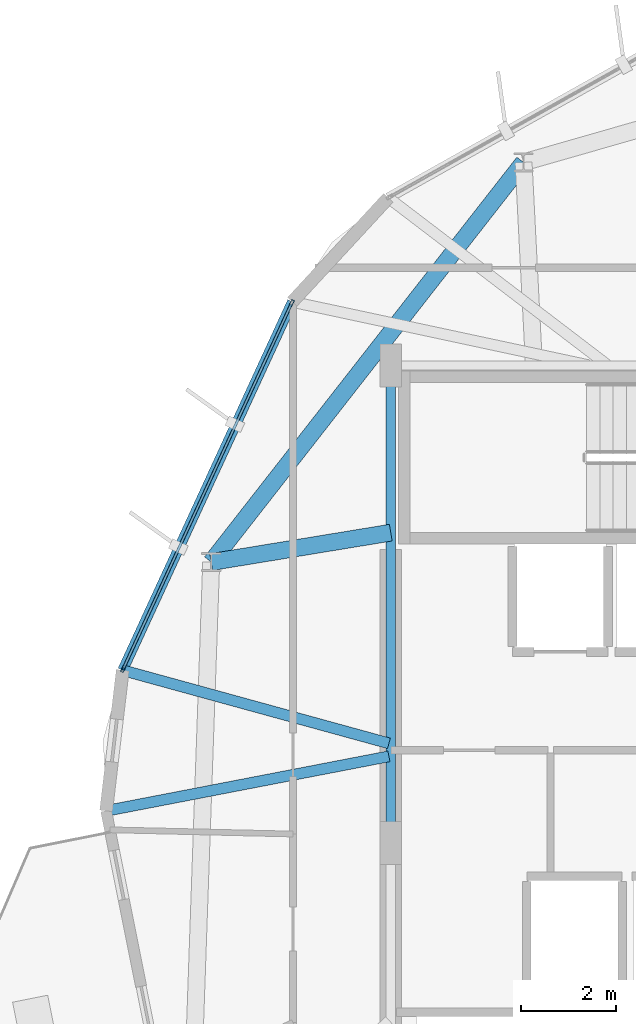
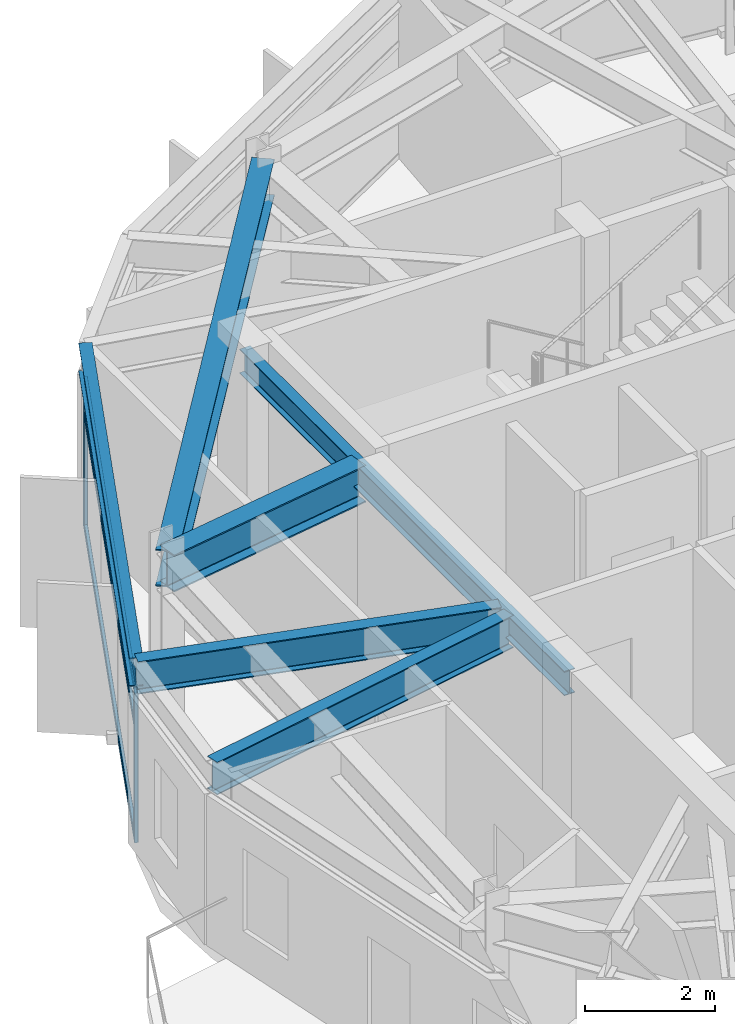
# One storey, part 7 of 25: 6 beams, 5 members, 1 element without a shape of its own.
"""IFC4 building model written with IfcOpenShell, lengths in metres."""

from ifc_helpers import new_model, si_unit, direction, frame, origin, origin_2d, place, context, subcontext, project, spatial, hollow_rectangle, i_section, extrude, material, layer, layer_set, material_profile, profile_set, type_object, element, aggregate, save


model = new_model("IFC4")

# Units and contexts
model_context = context("Model", 3, precision=1e-05, world=origin(), true_north=direction((0.0, 1.0)))
body_context = subcontext(model_context, "Body", "Model", "MODEL_VIEW")
ifc_project = project(units=[si_unit("LENGTHUNIT", "METRE"), si_unit("AREAUNIT", "SQUARE_METRE"), si_unit("VOLUMEUNIT", "CUBIC_METRE"), si_unit("PLANEANGLEUNIT", "RADIAN"), si_unit("MASSUNIT", "GRAM", prefix="KILO")], contexts=[model_context])

# Site, building, storey
site_placement = place(None, origin())
site = spatial("IfcSite", under=ifc_project, at=site_placement, CompositionType="ELEMENT")
building_placement = place(site_placement, origin())
building = spatial("IfcBuilding", under=site, at=building_placement, Name="Soratama Intermodal Tower", CompositionType="ELEMENT")
storey_placement = place(building_placement, frame((0.0, 0.0, 272.5)))
storey = spatial("IfcBuildingStorey", under=building, at=storey_placement, Name="L69", CompositionType="ELEMENT", Elevation=272.5)

# Beams
ifc_material_1 = material(Name="Structural steel ASTM A992 Grade 50", Category="steel")
ifc_material_profile_1 = material_profile(ifc_material_1, i_section(OverallWidth=0.19091796875, OverallDepth=0.4599609375, WebThickness=0.010009765625, FlangeThickness=0.01611328125, FilletRadius=0.010986328125, at=origin_2d()), Name="W18X55")
ifc_profile_set_1 = profile_set([ifc_material_profile_1], Name="Structural steel ASTM A992 Grade 50")
beam_type_1 = type_object("IfcBeamType", Name="BM-FLR-W18X55", PredefinedType="BEAM", material=ifc_profile_set_1)
beam_1_placement = place(storey_placement, frame((32.60009765625, 35.0, 3.219970703125), z_axis=(0.0, -1.0, 0.0), x_axis=(1.0, 0.0, 0.0)))
element("IfcBeam", 1, at=beam_1_placement, inside=storey, type_object=beam_type_1, Name="BM-L69-CRING-08", PredefinedType="BEAM", context=body_context, shape_type="SweptSolid", body=[
    extrude(i_section(OverallWidth=0.19091796875, OverallDepth=0.4599609375, WebThickness=0.010009765625, FlangeThickness=0.01611328125, FilletRadius=0.010986328125, at=origin_2d()), origin(), (0.0, 0.0, 1.0), 10.0),
])
ifc_material_2 = material(Name="Structural steel ASTM A992 Grade 50", Category="steel")
ifc_material_profile_2 = material_profile(ifc_material_2, i_section(OverallWidth=0.35498046875, OverallDepth=0.695068359375, WebThickness=0.015380859375, FlangeThickness=0.02490234375, FilletRadius=0.01611328125, at=origin_2d()), Name="W27X146")
ifc_profile_set_2 = profile_set([ifc_material_profile_2], Name="Structural steel ASTM A992 Grade 50")
beam_type_2 = type_object("IfcBeamType", Name="BM-RING-W27X146", PredefinedType="BEAM", material=ifc_profile_set_2)
beam_2_placement = place(storey_placement, frame((35.382080078125, 39.259033203125, 3.1025390625), z_axis=(-0.6157278291, -0.787958907858, 0.0), x_axis=(0.787958907858, -0.6157278291, 0.0)))
element("IfcBeam", 2, at=beam_2_placement, inside=storey, type_object=beam_type_2, Name="BM-L69-RING-04", PredefinedType="BEAM", context=body_context, shape_type="SweptSolid", body=[
    extrude(i_section(OverallWidth=0.35498046875, OverallDepth=0.695068359375, WebThickness=0.015380859375, FlangeThickness=0.02490234375, FilletRadius=0.01611328125, at=origin_2d()), origin(), (0.0, 0.0, 1.0), 10.6298828125),
])
beam_3_placement = place(storey_placement, frame((32.60009765625, 31.5, 3.1025390625), z_axis=(-0.986826492219, -0.161782181513, 0.0), x_axis=(0.161782181513, -0.986826492219, 0.0)))
element("IfcBeam", 3, at=beam_3_placement, inside=storey, type_object=beam_type_2, Name="BM-L69-RAD-05", PredefinedType="BEAM", context=body_context, shape_type="SweptSolid", body=[
    extrude(i_section(OverallWidth=0.35498046875, OverallDepth=0.695068359375, WebThickness=0.015380859375, FlangeThickness=0.02490234375, FilletRadius=0.01611328125, at=origin_2d()), origin(), (0.0, 0.0, 1.0), 3.8134765625),
])
ifc_material_3 = material(Name="Structural steel ASTM A992 Grade 50", Category="steel")
ifc_material_profile_3 = material_profile(ifc_material_3, i_section(OverallWidth=0.2099609375, OverallDepth=0.537109375, WebThickness=0.010986328125, FlangeThickness=0.017333984375, FilletRadius=0.012939453125, at=origin_2d()), Name="W21X68")
ifc_profile_set_3 = profile_set([ifc_material_profile_3], Name="Structural steel ASTM A992 Grade 50")
beam_type_3 = type_object("IfcBeamType", Name="BM-SPN-W21X68", PredefinedType="SPANDREL", material=ifc_profile_set_3)
beam_4_placement = place(storey_placement, frame((30.535888671875, 36.3369140625, 3.181396484375), z_axis=(-0.418269264315, -0.90832308268, 0.0), x_axis=(0.90832308268, -0.418269264315, 0.0)))
element("IfcBeam", 4, at=beam_4_placement, inside=storey, type_object=beam_type_3, Name="BS-L69-F03", PredefinedType="SPANDREL", context=body_context, shape_type="SweptSolid", body=[
    extrude(i_section(OverallWidth=0.2099609375, OverallDepth=0.537109375, WebThickness=0.010986328125, FlangeThickness=0.017333984375, FilletRadius=0.012939453125, at=origin_2d()), origin(), (0.0, 0.0, 1.0), 8.499267578125),
])
ifc_material_4 = material(Name="Structural steel ASTM A992 Grade 50", Category="steel")
ifc_material_profile_4 = material_profile(ifc_material_4, i_section(OverallWidth=0.22900390625, OverallDepth=0.612060546875, WebThickness=0.011962890625, FlangeThickness=0.01953125, FilletRadius=0.012939453125, at=origin_2d()), Name="W24X84")
ifc_profile_set_4 = profile_set([ifc_material_profile_4], Name="Structural steel ASTM A992 Grade 50")
beam_type_4 = type_object("IfcBeamType", Name="BM-TIE-W24X84", PredefinedType="BEAM", material=ifc_profile_set_4)
beam_5_placement = place(storey_placement, frame((32.56103515625, 27.0849609375, 3.14404296875), z_axis=(-0.964317488969, 0.26474852307, 0.0), x_axis=(-0.26474852307, -0.964317488969, 0.0)))
element("IfcBeam", 5, at=beam_5_placement, inside=storey, type_object=beam_type_4, Name="BM-L69-TIE1-03", PredefinedType="BEAM", context=body_context, shape_type="SweptSolid", body=[
    extrude(i_section(OverallWidth=0.22900390625, OverallDepth=0.612060546875, WebThickness=0.011962890625, FlangeThickness=0.01953125, FilletRadius=0.012939453125, at=origin_2d()), origin(), (0.0, 0.0, 1.0), 5.78662109375),
])
beam_6_placement = place(storey_placement, frame((32.56103515625, 26.81298828125, 3.14404296875), z_axis=(-0.981906203858, -0.189367913929, 0.0), x_axis=(0.189367913929, -0.981906203858, 0.0)))
element("IfcBeam", 6, at=beam_6_placement, inside=storey, type_object=beam_type_4, Name="BM-L69-TIE0-04", PredefinedType="BEAM", context=body_context, shape_type="SweptSolid", body=[
    extrude(i_section(OverallWidth=0.22900390625, OverallDepth=0.612060546875, WebThickness=0.011962890625, FlangeThickness=0.01953125, FilletRadius=0.012939453125, at=origin_2d()), origin(), (0.0, 0.0, 1.0), 6.0361328125),
])

# Curtain wall, members
ifc_material_5 = material(Name="Double-glazed aluminium curtain wall", Category="aluminium")
ifc_layer = layer(ifc_material_5, 0.159912109375)
ifc_layer_set = layer_set([ifc_layer], Name="Double-glazed aluminium curtain wall")
curtain_wall_type = type_object("IfcCurtainWallType", Name="CW-SYS-5", PredefinedType="NOTDEFINED", material=ifc_layer_set)
curtain_wall_placement = place(storey_placement, origin())
curtain_wall = element("IfcCurtainWall", 7, at=curtain_wall_placement, inside=storey, type_object=curtain_wall_type, Name="L69 Faceted Curtain Wall F03", PredefinedType="NOTDEFINED")
ifc_material_6 = material(Name="Anodised aluminium AA 6063-T6", Category="aluminium")
ifc_material_profile_5 = material_profile(ifc_material_6, hollow_rectangle(XDim=0.06494140625, YDim=0.139892578125, WallThickness=0.0048828125, InnerFilletRadius=0.0048828125, OuterFilletRadius=0.010009765625, at=origin_2d()), Name="CWM140X65X5")
ifc_profile_set_5 = profile_set([ifc_material_profile_5], Name="Anodised aluminium AA 6063-T6")
member_type_1 = type_object("IfcMemberType", Name="MT-CWM-5", PredefinedType="MULLION", material=ifc_profile_set_5)
member_1_placement = place(storey_placement, frame((30.5234375, 36.310302734375, 0.0), z_axis=(0.0, 0.0, 1.0), x_axis=(0.908361499734, -0.418185826877, 0.0)))
member_1 = element("IfcMember", 8, at=member_1_placement, type_object=member_type_1, Name="CW-5 mullion 1", PredefinedType="MULLION", context=body_context, shape_type="SweptSolid", body=[
    extrude(hollow_rectangle(XDim=0.06494140625, YDim=0.139892578125, WallThickness=0.0048828125, InnerFilletRadius=0.0048828125, OuterFilletRadius=0.010009765625, at=origin_2d()), origin(), (0.0, 0.0, 1.0), 2.8291015625),
])
member_2_placement = place(storey_placement, frame((26.993896484375, 28.643798828125, 0.0), z_axis=(0.0, 0.0, 1.0), x_axis=(0.908361499734, -0.418185826877, 0.0)))
member_2 = element("IfcMember", 9, at=member_2_placement, type_object=member_type_1, Name="CW-5 mullion 2", PredefinedType="MULLION", context=body_context, shape_type="SweptSolid", body=[
    extrude(hollow_rectangle(XDim=0.06494140625, YDim=0.139892578125, WallThickness=0.0048828125, InnerFilletRadius=0.0048828125, OuterFilletRadius=0.010009765625, at=origin_2d()), origin(), (0.0, 0.0, 1.0), 2.8291015625),
])
ifc_material_7 = material(Name="Anodised aluminium AA 6063-T6", Category="aluminium")
ifc_material_profile_6 = material_profile(ifc_material_7, hollow_rectangle(XDim=0.06005859375, YDim=0.1298828125, WallThickness=0.0048828125, InnerFilletRadius=0.0048828125, OuterFilletRadius=0.010009765625, at=origin_2d()), Name="CWT130X60X5")
ifc_profile_set_6 = profile_set([ifc_material_profile_6], Name="Anodised aluminium AA 6063-T6")
member_type_2 = type_object("IfcMemberType", Name="TT-CWT-2", PredefinedType="USERDEFINED", material=ifc_profile_set_6)
member_3_placement = place(storey_placement, frame((30.5107421875, 36.282958984375, 0.030029296875), z_axis=(-0.418172988536, -0.90836741006, 0.0), x_axis=(0.90836741006, -0.418172988536, 0.0)))
member_3 = element("IfcMember", 10, at=member_3_placement, type_object=member_type_2, Name="CW-5 transom 1.1", ObjectType="TRANSOM", PredefinedType="USERDEFINED", context=body_context, shape_type="SweptSolid", body=[
    extrude(hollow_rectangle(XDim=0.06005859375, YDim=0.1298828125, WallThickness=0.0048828125, InnerFilletRadius=0.0048828125, OuterFilletRadius=0.010009765625, at=origin_2d()), origin(), (0.0, 0.0, 1.0), 8.379638671875),
])
member_4_placement = place(storey_placement, frame((30.5107421875, 36.282958984375, 2.14990234375), z_axis=(-0.418172988536, -0.90836741006, 0.0), x_axis=(0.90836741006, -0.418172988536, 0.0)))
member_4 = element("IfcMember", 11, at=member_4_placement, type_object=member_type_2, Name="CW-5 transom 1.2", ObjectType="TRANSOM", PredefinedType="USERDEFINED", context=body_context, shape_type="SweptSolid", body=[
    extrude(hollow_rectangle(XDim=0.06005859375, YDim=0.1298828125, WallThickness=0.0048828125, InnerFilletRadius=0.0048828125, OuterFilletRadius=0.010009765625, at=origin_2d()), origin(), (0.0, 0.0, 1.0), 8.379638671875),
])
member_5_placement = place(storey_placement, frame((30.5107421875, 36.282958984375, 2.799072265625), z_axis=(-0.418172988536, -0.90836741006, 0.0), x_axis=(0.90836741006, -0.418172988536, 0.0)))
member_5 = element("IfcMember", 12, at=member_5_placement, type_object=member_type_2, Name="CW-5 transom 1.3", ObjectType="TRANSOM", PredefinedType="USERDEFINED", context=body_context, shape_type="SweptSolid", body=[
    extrude(hollow_rectangle(XDim=0.06005859375, YDim=0.1298828125, WallThickness=0.0048828125, InnerFilletRadius=0.0048828125, OuterFilletRadius=0.010009765625, at=origin_2d()), origin(), (0.0, 0.0, 1.0), 8.379638671875),
])
aggregate(curtain_wall, [member_1, member_2, member_3, member_4, member_5])

save(model, "model.ifc")
